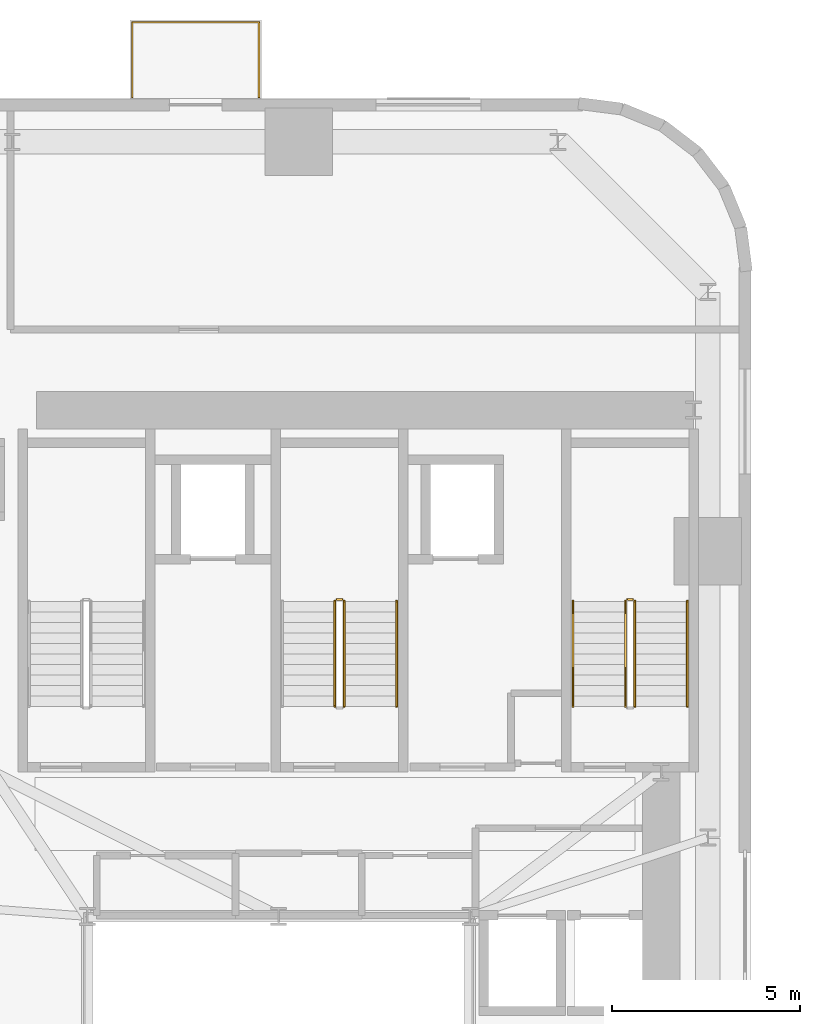
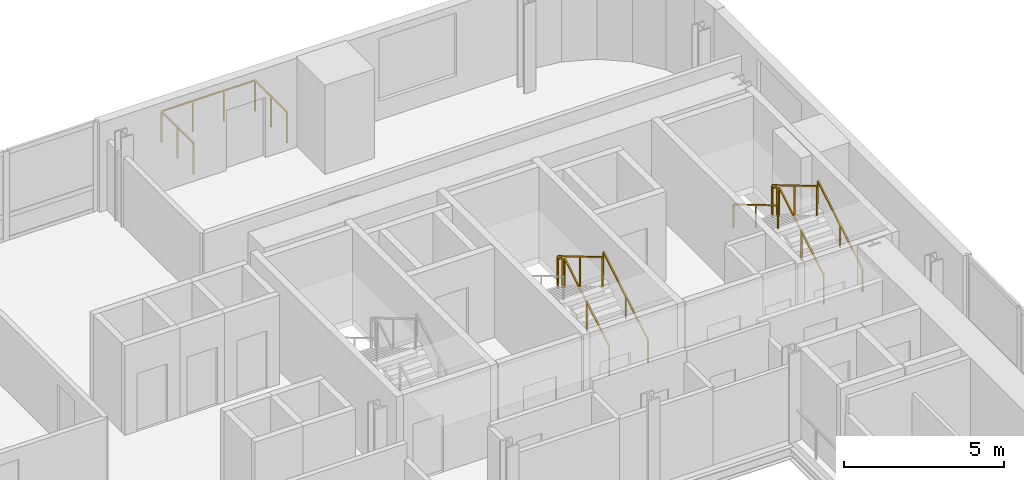
# One storey, part 13 of 13: 10 railings.
"""IFC4 building model written with IfcOpenShell, lengths in metres."""

from ifc_helpers import new_model, si_unit, direction, frame, origin, origin_2d, place, context, subcontext, project, spatial, rectangle, extrude, source, transform, mapped, material, type_object, element, save


model = new_model("IFC4")

# Units and contexts
model_context = context("Model", 3, precision=1e-05, world=origin(), true_north=direction((0.0, 1.0)))
body_context = subcontext(model_context, "Body", "Model", "MODEL_VIEW")
ifc_project = project(units=[si_unit("LENGTHUNIT", "METRE"), si_unit("AREAUNIT", "SQUARE_METRE"), si_unit("VOLUMEUNIT", "CUBIC_METRE"), si_unit("PLANEANGLEUNIT", "RADIAN"), si_unit("MASSUNIT", "GRAM", prefix="KILO")], contexts=[model_context])

# Site, building, storey
site_placement = place(None, origin())
site = spatial("IfcSite", under=ifc_project, at=site_placement, CompositionType="ELEMENT")
building_placement = place(site_placement, origin())
building = spatial("IfcBuilding", under=site, at=building_placement, Name="Vardaveli Station Tower", CompositionType="ELEMENT")
storey_placement = place(building_placement, frame((0.0, 0.0, 56.800048828125)))
storey = spatial("IfcBuildingStorey", under=building, at=storey_placement, Name="L14", CompositionType="ELEMENT", Elevation=56.800048828125)

# Railings
ifc_material_1 = material(Name="Laminated glass and stainless steel balustrade", Category="steel")
railing_type_1 = type_object("IfcRailingType", Name="RL-BAL-1200", PredefinedType="BALUSTRADE", material=ifc_material_1)
shared_shape_1 = source(origin(), body_context, "Body", "SweptSolid", [
    extrude(rectangle(XDim=0.048095703125, YDim=0.048095703125, at=origin_2d()), frame((0.0, 0.0, 1.17578125), z_axis=(0.0, 1.0, 0.0), x_axis=(-1.0, 0.0, 0.0)), (0.0, 0.0, 1.0), 2.0),
    extrude(rectangle(XDim=0.048095703125, YDim=0.048095703125, at=origin_2d()), frame((0.0, 2.0, 1.17578125), z_axis=(1.0, 0.0, 0.0), x_axis=(0.0, 1.0, 0.0)), (0.0, 0.0, 1.0), 3.3798828125),
    extrude(rectangle(XDim=0.048095703125, YDim=0.048095703125, at=origin_2d()), frame((3.3798828125, 2.0, 1.17578125), z_axis=(0.0, -1.0, 0.0), x_axis=(1.0, 0.0, 0.0)), (0.0, 0.0, 1.0), 2.0),
    extrude(rectangle(XDim=0.0419921875, YDim=0.0419921875, at=origin_2d()), origin(), (0.0, 0.0, 1.0), 1.15185546875),
    extrude(rectangle(XDim=0.0419921875, YDim=0.0419921875, at=origin_2d()), frame((0.0, 1.0, 0.0)), (0.0, 0.0, 1.0), 1.15185546875),
    extrude(rectangle(XDim=0.0419921875, YDim=0.0419921875, at=origin_2d()), frame((0.0, 2.0, 0.0)), (0.0, 0.0, 1.0), 1.15185546875),
    extrude(rectangle(XDim=0.0419921875, YDim=0.0419921875, at=origin_2d()), frame((1.126708984375, 2.0, 0.0)), (0.0, 0.0, 1.0), 1.15185546875),
    extrude(rectangle(XDim=0.0419921875, YDim=0.0419921875, at=origin_2d()), frame((2.253173828125, 2.0, 0.0)), (0.0, 0.0, 1.0), 1.15185546875),
    extrude(rectangle(XDim=0.0419921875, YDim=0.0419921875, at=origin_2d()), frame((3.3798828125, 2.0, 0.0)), (0.0, 0.0, 1.0), 1.15185546875),
    extrude(rectangle(XDim=0.0419921875, YDim=0.0419921875, at=origin_2d()), frame((3.3798828125, 1.0, 0.0)), (0.0, 0.0, 1.0), 1.15185546875),
    extrude(rectangle(XDim=0.0419921875, YDim=0.0419921875, at=origin_2d()), frame((3.3798828125, 0.0, 0.0)), (0.0, 0.0, 1.0), 1.15185546875),
])
railing_1_placement = place(storey_placement, frame((32.399658203125, 48.639892578125, 0.0)))
element("IfcRailing", 1, at=railing_1_placement, inside=storey, type_object=railing_type_1, Name="RL-LOG-L14-02", PredefinedType="BALUSTRADE", context=body_context, shape_type="MappedRepresentation", body=[
    mapped(shared_shape_1, transform((0.0, 0.0, 0.0), scale=1.0)),
])
ifc_material_2 = material(Name="Brushed AISI 316 stainless steel", Category="steel")
railing_type_2 = type_object("IfcRailingType", Name="RL-GUARD-1150", PredefinedType="GUARDRAIL", material=ifc_material_2)
shared_shape_2 = source(origin(), body_context, "Body", "SweptSolid", [
    extrude(rectangle(XDim=0.048095703125, YDim=0.048095703125, at=origin_2d()), frame((0.0, 0.0, 1.1259765625), z_axis=(-1.0, 0.0, 0.0), x_axis=(0.0, -1.0, 0.0)), (0.0, 0.0, 1.0), 0.14990234375),
    extrude(rectangle(XDim=0.0419921875, YDim=0.0419921875, at=origin_2d()), origin(), (0.0, 0.0, 1.0), 1.101806640625),
    extrude(rectangle(XDim=0.0419921875, YDim=0.0419921875, at=origin_2d()), frame((-0.14990234375, 0.0, 0.0)), (0.0, 0.0, 1.0), 1.101806640625),
])
for number, where, name in (
    (2, (38.0, 35.25, 1.824951171875), "L14 ST-2 stair guard 2"),
    (3, (45.75, 35.25, 1.824951171875), "L14 ST-3 stair guard 2"),
):
    element("IfcRailing", number, at=place(storey_placement, frame(where)), inside=storey, type_object=railing_type_2, Name=name, PredefinedType="GUARDRAIL", context=body_context, shape_type="MappedRepresentation", body=[
        mapped(shared_shape_2, transform((0.0, 0.0, 0.0), scale=1.0)),
    ])
shared_shape_3 = source(origin(), body_context, "Body", "SweptSolid", [
    extrude(rectangle(XDim=0.048095703125, YDim=0.048095703125, at=origin_2d()), frame((0.0, 0.0, 1.1259765625), z_axis=(0.0, 0.860306154799, 0.50977771628), x_axis=(-1.0, 0.0, 0.0)), (0.0, 0.0, 1.0), 3.254638671875),
    extrude(rectangle(XDim=0.0419921875, YDim=0.0419921875, at=origin_2d()), origin(), (0.0, 0.0, 1.0), 1.101806640625),
    extrude(rectangle(XDim=0.0419921875, YDim=0.0419921875, at=origin_2d()), frame((0.0, 1.39990234375, 0.82958984375)), (0.0, 0.0, 1.0), 1.101806640625),
    extrude(rectangle(XDim=0.0419921875, YDim=0.0419921875, at=origin_2d()), frame((0.0, 2.800048828125, 1.6591796875)), (0.0, 0.0, 1.0), 1.101806640625),
])
for number, where, name in (
    (4, (38.050048828125, 32.39990234375, 0.165771484375), "L14 ST-2 stair guard 1"),
    (5, (45.800048828125, 32.39990234375, 0.165771484375), "L14 ST-3 stair guard 1"),
):
    element("IfcRailing", number, at=place(storey_placement, frame(where)), inside=storey, type_object=railing_type_2, Name=name, PredefinedType="GUARDRAIL", context=body_context, shape_type="MappedRepresentation", body=[
        mapped(shared_shape_3, transform((0.0, 0.0, 0.0), scale=1.0)),
    ])
railing_type_3 = type_object("IfcRailingType", Name="RL-HAND-900", PredefinedType="HANDRAIL", material=ifc_material_2)
shared_shape_4 = source(origin(), body_context, "Body", "SweptSolid", [
    extrude(rectangle(XDim=0.048095703125, YDim=0.048095703125, at=origin_2d()), frame((0.0, 0.0, 0.8759765625), z_axis=(0.0, 0.860306154799, 0.50977771628), x_axis=(-1.0, 0.0, 0.0)), (0.0, 0.0, 1.0), 3.254638671875),
    extrude(rectangle(XDim=0.0419921875, YDim=0.0419921875, at=origin_2d()), origin(), (0.0, 0.0, 1.0), 0.851806640625),
    extrude(rectangle(XDim=0.0419921875, YDim=0.0419921875, at=origin_2d()), frame((0.0, 1.39990234375, 0.82958984375)), (0.0, 0.0, 1.0), 0.851806640625),
    extrude(rectangle(XDim=0.0419921875, YDim=0.0419921875, at=origin_2d()), frame((0.0, 2.800048828125, 1.6591796875)), (0.0, 0.0, 1.0), 0.851806640625),
])
for number, where, name in (
    (6, (39.449951171875, 32.39990234375, 0.165771484375), "L14 ST-2 stair handrail 1"),
    (7, (47.199951171875, 32.39990234375, 0.165771484375), "L14 ST-3 stair handrail 1"),
):
    element("IfcRailing", number, at=place(storey_placement, frame(where)), inside=storey, type_object=railing_type_3, Name=name, PredefinedType="HANDRAIL", context=body_context, shape_type="MappedRepresentation", body=[
        mapped(shared_shape_4, transform((0.0, 0.0, 0.0), scale=1.0)),
    ])
shared_shape_5 = source(origin(), body_context, "Body", "SweptSolid", [
    extrude(rectangle(XDim=0.048095703125, YDim=0.048095703125, at=origin_2d()), frame((0.0, 0.0, 1.1259765625), z_axis=(0.0, -0.860339051648, 0.50972219513), x_axis=(1.0, 0.0, 0.0)), (0.0, 0.0, 1.0), 3.254638671875),
    extrude(rectangle(XDim=0.0419921875, YDim=0.0419921875, at=origin_2d()), origin(), (0.0, 0.0, 1.0), 1.101806640625),
    extrude(rectangle(XDim=0.0419921875, YDim=0.0419921875, at=origin_2d()), frame((0.0, -1.39990234375, 0.82958984375)), (0.0, 0.0, 1.0), 1.101806640625),
    extrude(rectangle(XDim=0.0419921875, YDim=0.0419921875, at=origin_2d()), frame((0.0, -2.800048828125, 1.658935546875)), (0.0, 0.0, 1.0), 1.101806640625),
])
for number, where, name in (
    (8, (37.800048828125, 35.199951171875, 1.990966796875), "L14 ST-2 stair guard 3"),
    (9, (45.550048828125, 35.199951171875, 1.990966796875), "L14 ST-3 stair guard 3"),
):
    element("IfcRailing", number, at=place(storey_placement, frame(where)), inside=storey, type_object=railing_type_2, Name=name, PredefinedType="GUARDRAIL", context=body_context, shape_type="MappedRepresentation", body=[
        mapped(shared_shape_5, transform((0.0, 0.0, 0.0), scale=1.0)),
    ])
shared_shape_6 = source(origin(), body_context, "Body", "SweptSolid", [
    extrude(rectangle(XDim=0.048095703125, YDim=0.048095703125, at=origin_2d()), frame((0.0, 0.0, 0.8759765625), z_axis=(0.0, -0.860339051648, 0.50972219513), x_axis=(1.0, 0.0, 0.0)), (0.0, 0.0, 1.0), 3.254638671875),
    extrude(rectangle(XDim=0.0419921875, YDim=0.0419921875, at=origin_2d()), origin(), (0.0, 0.0, 1.0), 0.851806640625),
    extrude(rectangle(XDim=0.0419921875, YDim=0.0419921875, at=origin_2d()), frame((0.0, -1.39990234375, 0.82958984375)), (0.0, 0.0, 1.0), 0.851806640625),
    extrude(rectangle(XDim=0.0419921875, YDim=0.0419921875, at=origin_2d()), frame((0.0, -2.800048828125, 1.658935546875)), (0.0, 0.0, 1.0), 0.851806640625),
])
railing_2_placement = place(storey_placement, frame((44.14990234375, 35.199951171875, 1.990966796875)))
element("IfcRailing", 10, at=railing_2_placement, inside=storey, type_object=railing_type_3, Name="L14 ST-3 stair handrail 2", PredefinedType="HANDRAIL", context=body_context, shape_type="MappedRepresentation", body=[
    mapped(shared_shape_6, transform((0.0, 0.0, 0.0), scale=1.0)),
])

save(model, "model.ifc")
